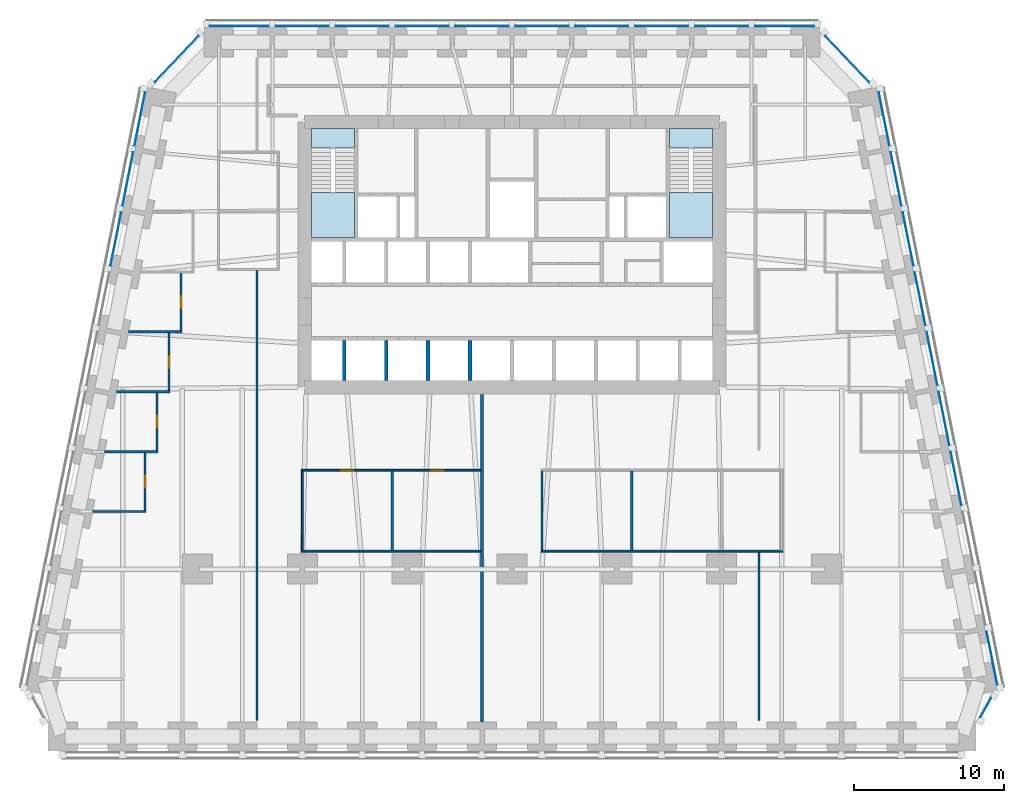
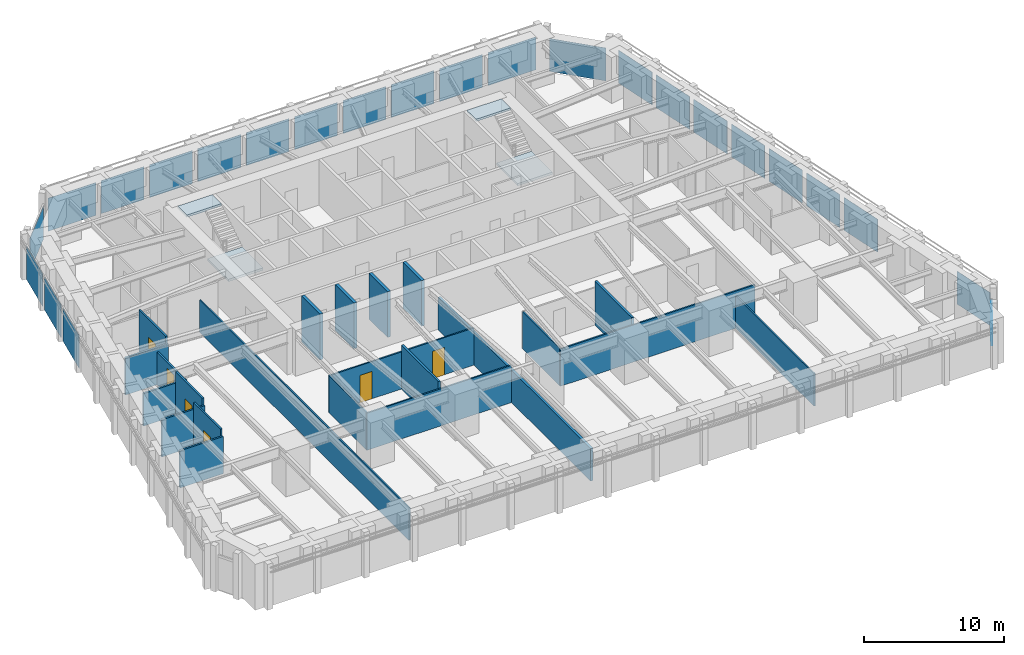
# One storey, part 5 of 10: 24 plates, 22 walls, 6 doors, 4 slabs, 6 openings, 8 elements without a shape of their own.
"""IFC4 building model written with IfcOpenShell, lengths in metres."""

import ifcopenshell
import ifcopenshell.guid

model = None  # the IFC model being written
_history = None  # IfcOwnerHistory: only IFC2X3 demands one
_inside = {}  # id of a spatial element -> (the spatial element, [elements in it])
_under = {}  # id of a project, library or spatial element -> (it, [spatial elements below it])
_declared = {}  # id of a project -> (the project, [libraries it declares])
_typed = {}  # id of a type object -> (the type object, [elements of that type])
_made_of = {}  # id of a material, layer set ... -> (it, [elements and type objects made of it])


def new_model(schema):
    """Start an empty IFC model of exactly this schema.

    Asked for "IFC4X3", IfcOpenShell would pick the latest addendum, in which some entities
    have other attributes; the version numbers below select the first issue.
    IFC2X3 requires an IfcOwnerHistory on every rooted entity: one is made here for all.
    """
    global model, _history
    if schema == "IFC4X3":
        model = ifcopenshell.file(schema_version=(4, 3, 0, 0))
    else:
        model = ifcopenshell.file(schema=schema)
    _inside.clear()
    _under.clear()
    _declared.clear()
    _typed.clear()
    _made_of.clear()
    _history = None
    if model.schema == "IFC2X3":
        org = make("IfcOrganization", Name="unknown")
        user = make(
            "IfcPersonAndOrganization",
            ThePerson=make("IfcPerson", FamilyName="unknown"),
            TheOrganization=org,
        )
        app = make(
            "IfcApplication",
            ApplicationDeveloper=org,
            Version="unknown",
            ApplicationFullName="unknown",
            ApplicationIdentifier="unknown",
        )
        _history = make(
            "IfcOwnerHistory",
            OwningUser=user,
            OwningApplication=app,
            ChangeAction="ADDED",
            CreationDate=0,
        )
    return model


def make(cls, **values):
    """One entity of the class cls with the attributes given. An attribute that is None is left unset."""
    return model.create_entity(
        cls, **{name: value for name, value in values.items() if value is not None}
    )


def rooted(cls, **values):
    """An entity with a GlobalId (a new one), such as an element, a storey or a relation."""
    return make(cls, GlobalId=ifcopenshell.guid.new(), OwnerHistory=_history, **values)


def si_unit(unit_type, name, prefix=None):
    """IfcSIUnit, for example si_unit("LENGTHUNIT", "METRE", prefix="MILLI")."""
    return make("IfcSIUnit", UnitType=unit_type, Prefix=prefix, Name=name)


def assignment(units):
    """IfcUnitAssignment: the units of a project."""
    return None if units is None else make("IfcUnitAssignment", Units=units)


def point(xyz):
    """IfcCartesianPoint."""
    return None if xyz is None else make("IfcCartesianPoint", Coordinates=xyz)


def direction(xyz):
    """IfcDirection."""
    return None if xyz is None else make("IfcDirection", DirectionRatios=xyz)


def frame(location, z_axis=None, x_axis=None):
    """IfcAxis2Placement3D, a coordinate frame: its origin and axes. An axis left out is left unset."""
    return make(
        "IfcAxis2Placement3D",
        Location=point(location),
        Axis=direction(z_axis),
        RefDirection=direction(x_axis),
    )


def frame_2d(location, x_axis=None):
    """IfcAxis2Placement2D, a coordinate frame in the plane: its origin and x axis."""
    return make(
        "IfcAxis2Placement2D", Location=point(location), RefDirection=direction(x_axis)
    )


def origin():
    """The frame at (0, 0, 0) with its axes left unset."""
    return frame((0.0, 0.0, 0.0))


def origin_2d():
    """The frame at (0, 0) in the plane with its x axis left unset."""
    return frame_2d((0.0, 0.0))


def place(relative_to, where):
    """IfcLocalPlacement: puts the frame where relative to a parent placement (None: the world)."""
    return make(
        "IfcLocalPlacement", PlacementRelTo=relative_to, RelativePlacement=where
    )


def context(
    kind, dimensions, precision=None, world=None, true_north=None, identifier=None
):
    """IfcGeometricRepresentationContext, for example the 3D "Model" context."""
    return make(
        "IfcGeometricRepresentationContext",
        ContextIdentifier=identifier,
        ContextType=kind,
        CoordinateSpaceDimension=dimensions,
        Precision=precision,
        WorldCoordinateSystem=world,
        TrueNorth=true_north,
    )


def subcontext(parent, identifier, kind, view, scale=None):
    """IfcGeometricRepresentationSubContext, for example "Body" below "Model"."""
    return make(
        "IfcGeometricRepresentationSubContext",
        ContextIdentifier=identifier,
        ContextType=kind,
        ParentContext=parent,
        TargetScale=scale,
        TargetView=view,
    )


def project(units=None, contexts=None):
    """IfcProject with its units and contexts."""
    return rooted(
        "IfcProject",
        Name="project",
        RepresentationContexts=contexts,
        UnitsInContext=assignment(units),
    )


def spatial(cls, under=None, at=None, **own):
    """A site, building, storey or space (cls), placed at a placement, below another one or the project."""
    s = rooted(cls, ObjectPlacement=at, **own)
    if under is not None:
        _under.setdefault(under.id(), (under, []))[1].append(s)
    return s


def polyline(points):
    """IfcPolyline through the points."""
    return make("IfcPolyline", Points=[point(p) for p in points])


def profile(cls, at=None, kind="AREA", **sizes):
    """A parametric profile (cls). Its sizes go by their IFC names, for example OverallWidth=200.0."""
    return make(cls, ProfileType=kind, Position=at, **sizes)


def rectangle(**sizes):
    """IfcRectangleProfileDef."""
    return profile("IfcRectangleProfileDef", **sizes)


def outline(outer, holes=None, kind="AREA"):
    """IfcArbitraryClosedProfileDef: a profile drawn as a closed curve; with holes, ...WithVoids."""
    if holes is None:
        return make("IfcArbitraryClosedProfileDef", ProfileType=kind, OuterCurve=outer)
    return make(
        "IfcArbitraryProfileDefWithVoids",
        ProfileType=kind,
        OuterCurve=outer,
        InnerCurves=holes,
    )


def extrude(swept, where, along, depth):
    """IfcExtrudedAreaSolid: the profile swept, set in the frame where, extruded along a direction by depth."""
    return make(
        "IfcExtrudedAreaSolid",
        SweptArea=swept,
        Position=where,
        ExtrudedDirection=direction(along),
        Depth=depth,
    )


def shape(context_of_items, identifier, shape_type, items):
    """IfcShapeRepresentation: the items that make up one representation, for example the "Body"."""
    return make(
        "IfcShapeRepresentation",
        ContextOfItems=context_of_items,
        RepresentationIdentifier=identifier,
        RepresentationType=shape_type,
        Items=items,
    )


def material(Name=None, Category=None):
    """IfcMaterial."""
    return make("IfcMaterial", Name=Name, Category=Category)


def layer(
    of_material, thickness, ventilated=None, Name=None, Category=None, Priority=None
):
    """IfcMaterialLayer: one layer of a wall or slab, of a material (None: an air gap)."""
    return make(
        "IfcMaterialLayer",
        Material=of_material,
        LayerThickness=thickness,
        IsVentilated=ventilated,
        Name=Name,
        Category=Category,
        Priority=Priority,
    )


def layer_set(layers, Name=None):
    """IfcMaterialLayerSet."""
    return make("IfcMaterialLayerSet", MaterialLayers=layers, LayerSetName=Name)


def made_of(thing, what):
    """Note that an element or type object is made of a material, layer set ...; save() writes the relation."""
    if what is not None:
        _made_of.setdefault(what.id(), (what, []))[1].append(thing)
    return thing


def type_object(cls, material=None, **own):
    """A type object (cls), such as IfcWallType, which elements share."""
    return made_of(rooted(cls, **own), material)


def element(
    cls,
    number,
    at=None,
    inside=None,
    cuts=None,
    type_object=None,
    material=None,
    context=None,
    identifier="Body",
    shape_type=None,
    held_by="IfcProductDefinitionShape",
    body=None,
    shapes=None,
    **own,
):
    """One element of the class cls, such as IfcWall. Its Tag is "e" and its number.

    at: its placement. inside: the storey or other place that contains it. cuts: it is an
    opening in that element (IfcRelVoidsElement). A single representation is given by context,
    identifier, shape_type and body (its items); several are given by shapes. held_by: the class
    of the entity that holds the representations. save() writes the other relations.
    """
    e = rooted(cls, Tag="e%d" % number, ObjectPlacement=at, **own)
    if body is not None:
        shapes = [shape(context, identifier, shape_type, body)]
    if shapes is not None:
        e.Representation = make(held_by, Representations=shapes)
    if inside is not None:
        _inside.setdefault(inside.id(), (inside, []))[1].append(e)
    if cuts is not None:
        rooted(
            "IfcRelVoidsElement", RelatingBuildingElement=cuts, RelatedOpeningElement=e
        )
    if type_object is not None:
        _typed.setdefault(type_object.id(), (type_object, []))[1].append(e)
    return made_of(e, material)


def fill(opening, filler):
    """IfcRelFillsElement: the door or window that sits in an opening."""
    return rooted(
        "IfcRelFillsElement",
        RelatingOpeningElement=opening,
        RelatedBuildingElement=filler,
    )


def aggregate(whole, parts):
    """IfcRelAggregates: a whole, such as a stair, and the parts it consists of."""
    return rooted("IfcRelAggregates", RelatingObject=whole, RelatedObjects=parts)


def save(model, path):
    """Write the relations noted so far, then the file.

    IfcRelAggregates (storeys below a building ...), IfcRelContainedInSpatialStructure (elements
    in a storey), IfcRelDefinesByType, IfcRelAssociatesMaterial and IfcRelDeclares: one each for
    every whole, place, type object, material and project.
    """
    for whole, parts in _under.values():
        aggregate(whole, parts)
    for where, things in _inside.values():
        rooted(
            "IfcRelContainedInSpatialStructure",
            RelatedElements=things,
            RelatingStructure=where,
        )
    for kind, things in _typed.values():
        rooted("IfcRelDefinesByType", RelatedObjects=things, RelatingType=kind)
    for what, things in _made_of.values():
        rooted("IfcRelAssociatesMaterial", RelatedObjects=things, RelatingMaterial=what)
    for by, libraries in _declared.values():
        rooted("IfcRelDeclares", RelatingContext=by, RelatedDefinitions=libraries)
    model.write(path)


model = new_model("IFC4")

# Units and contexts
model_context = context("Model", 3, precision=1e-05, world=origin(), true_north=direction((0.0, 1.0)))
body_context = subcontext(model_context, "Body", "Model", "MODEL_VIEW")
ifc_project = project(units=[si_unit("LENGTHUNIT", "METRE"), si_unit("AREAUNIT", "SQUARE_METRE"), si_unit("VOLUMEUNIT", "CUBIC_METRE"), si_unit("PLANEANGLEUNIT", "RADIAN"), si_unit("MASSUNIT", "GRAM", prefix="KILO")], contexts=[model_context])

# Site, building, storey
site_placement = place(None, origin())
site = spatial("IfcSite", under=ifc_project, at=site_placement, CompositionType="ELEMENT")
building_placement = place(site_placement, origin())
building = spatial("IfcBuilding", under=site, at=building_placement, Name="Isbrekke Arena Tower", CompositionType="ELEMENT")
storey_placement = place(building_placement, frame((0.0, 0.0, 68.0)))
storey = spatial("IfcBuildingStorey", under=building, at=storey_placement, Name="L14", CompositionType="ELEMENT", Elevation=68.0)

# Curtain wall, plate
ifc_material_1 = material(Name="Glazed aluminium curtain wall", Category="aluminium")
curtain_wall_type = type_object("IfcCurtainWallType", Name="CWL TOWER CURTAIN WALL LOW ZONE", PredefinedType="USERDEFINED", material=ifc_material_1)
curtain_wall_1_placement = place(storey_placement, origin())
curtain_wall_1 = element("IfcCurtainWall", 1, at=curtain_wall_1_placement, inside=storey, type_object=curtain_wall_type, Name="CWL curtain wall L14-SE", ObjectType="TOWER CURTAIN WALL LOW ZONE", PredefinedType="USERDEFINED")
ifc_material_2 = material(Name="Triple-glazed clear glass unit", Category="glass")
ifc_layer_1 = layer(ifc_material_2, 0.031982421875)
ifc_layer_set_1 = layer_set([ifc_layer_1], Name="CWL-P VISION PANEL")
plate_type = type_object("IfcPlateType", Name="CWL-P VISION PANEL", PredefinedType="CURTAIN_PANEL", material=ifc_layer_set_1)
plate_1_placement = place(storey_placement, frame((31.62744140625, -15.24853515625, 0.02001953125), z_axis=(0.0, 0.0, 1.0), x_axis=(0.481918749773, 0.876215908676, 0.0)))
plate_1 = element("IfcPlate", 2, at=plate_1_placement, type_object=plate_type, Name="CWL-P panel 1", PredefinedType="CURTAIN_PANEL", context=body_context, shape_type="SweptSolid", body=[
    extrude(rectangle(XDim=1.453369140625, YDim=0.031982421875, at=origin_2d()), origin(), (0.0, 0.0, 1.0), 2.8798828125),
])
aggregate(curtain_wall_1, [plate_1])

# Curtain wall, plates
curtain_wall_2_placement = place(storey_placement, origin())
curtain_wall_2 = element("IfcCurtainWall", 3, at=curtain_wall_2_placement, inside=storey, type_object=curtain_wall_type, Name="CWL curtain wall L14-E", ObjectType="TOWER CURTAIN WALL LOW ZONE", PredefinedType="USERDEFINED")
plate_2_placement = place(storey_placement, frame((32.045166015625, -11.950927734375, 0.02001953125), z_axis=(0.0, 0.0, 1.0), x_axis=(-0.196116135138, 0.980580675691, 0.0)))
plate_2 = element("IfcPlate", 4, at=plate_2_placement, type_object=plate_type, Name="CWL-P panel 1", PredefinedType="CURTAIN_PANEL", context=body_context, shape_type="SweptSolid", body=[
    extrude(rectangle(XDim=3.629150390625, YDim=0.031982421875, at=origin_2d()), origin(), (0.0, 0.0, 1.0), 2.8798828125),
])
plate_3_placement = place(storey_placement, frame((29.645263671875, 0.049072265625, 0.02001953125), z_axis=(0.0, 0.0, 1.0), x_axis=(-0.196116135138, 0.980580675691, 0.0)))
plate_3 = element("IfcPlate", 5, at=plate_3_placement, type_object=plate_type, Name="CWL-P panel 4", PredefinedType="CURTAIN_PANEL", context=body_context, shape_type="SweptSolid", body=[
    extrude(rectangle(XDim=3.629150390625, YDim=0.031982421875, at=origin_2d()), origin(), (0.0, 0.0, 1.0), 2.8798828125),
])
plate_4_placement = place(storey_placement, frame((28.84521484375, 4.049072265625, 0.02001953125), z_axis=(0.0, 0.0, 1.0), x_axis=(-0.196116135138, 0.980580675691, 0.0)))
plate_4 = element("IfcPlate", 6, at=plate_4_placement, type_object=plate_type, Name="CWL-P panel 5", PredefinedType="CURTAIN_PANEL", context=body_context, shape_type="SweptSolid", body=[
    extrude(rectangle(XDim=3.629150390625, YDim=0.031982421875, at=origin_2d()), origin(), (0.0, 0.0, 1.0), 2.8798828125),
])
plate_5_placement = place(storey_placement, frame((28.045166015625, 8.049072265625, 0.02001953125), z_axis=(0.0, 0.0, 1.0), x_axis=(-0.196116135138, 0.980580675691, 0.0)))
plate_5 = element("IfcPlate", 7, at=plate_5_placement, type_object=plate_type, Name="CWL-P panel 6", PredefinedType="CURTAIN_PANEL", context=body_context, shape_type="SweptSolid", body=[
    extrude(rectangle(XDim=3.629150390625, YDim=0.031982421875, at=origin_2d()), origin(), (0.0, 0.0, 1.0), 2.8798828125),
])
plate_6_placement = place(storey_placement, frame((27.2451171875, 12.049072265625, 0.02001953125), z_axis=(0.0, 0.0, 1.0), x_axis=(-0.196116135138, 0.980580675691, 0.0)))
plate_6 = element("IfcPlate", 8, at=plate_6_placement, type_object=plate_type, Name="CWL-P panel 7", PredefinedType="CURTAIN_PANEL", context=body_context, shape_type="SweptSolid", body=[
    extrude(rectangle(XDim=3.629150390625, YDim=0.031982421875, at=origin_2d()), origin(), (0.0, 0.0, 1.0), 2.8798828125),
])
plate_7_placement = place(storey_placement, frame((26.445068359375, 16.049072265625, 0.02001953125), z_axis=(0.0, 0.0, 1.0), x_axis=(-0.196116135138, 0.980580675691, 0.0)))
plate_7 = element("IfcPlate", 9, at=plate_7_placement, type_object=plate_type, Name="CWL-P panel 8", PredefinedType="CURTAIN_PANEL", context=body_context, shape_type="SweptSolid", body=[
    extrude(rectangle(XDim=3.629150390625, YDim=0.031982421875, at=origin_2d()), origin(), (0.0, 0.0, 1.0), 2.8798828125),
])
plate_8_placement = place(storey_placement, frame((25.645263671875, 20.049072265625, 0.02001953125), z_axis=(0.0, 0.0, 1.0), x_axis=(-0.196116135138, 0.980580675691, 0.0)))
plate_8 = element("IfcPlate", 10, at=plate_8_placement, type_object=plate_type, Name="CWL-P panel 9", PredefinedType="CURTAIN_PANEL", context=body_context, shape_type="SweptSolid", body=[
    extrude(rectangle(XDim=3.629150390625, YDim=0.031982421875, at=origin_2d()), origin(), (0.0, 0.0, 1.0), 2.8798828125),
])
plate_9_placement = place(storey_placement, frame((24.84521484375, 24.049072265625, 0.02001953125), z_axis=(0.0, 0.0, 1.0), x_axis=(-0.196116135138, 0.980580675691, 0.0)))
plate_9 = element("IfcPlate", 11, at=plate_9_placement, type_object=plate_type, Name="CWL-P panel 10", PredefinedType="CURTAIN_PANEL", context=body_context, shape_type="SweptSolid", body=[
    extrude(rectangle(XDim=3.629150390625, YDim=0.031982421875, at=origin_2d()), origin(), (0.0, 0.0, 1.0), 2.8798828125),
])
aggregate(curtain_wall_2, [plate_2, plate_3, plate_4, plate_5, plate_6, plate_7, plate_8, plate_9])

# Curtain wall, plate
curtain_wall_3_placement = place(storey_placement, origin())
curtain_wall_3 = element("IfcCurtainWall", 12, at=curtain_wall_3_placement, inside=storey, type_object=curtain_wall_type, Name="CWL curtain wall L14-EN", ObjectType="TOWER CURTAIN WALL LOW ZONE", PredefinedType="USERDEFINED")
plate_10_placement = place(storey_placement, frame((22.386474609375, 28.05419921875, 0.02001953125), z_axis=(0.0, 0.0, 1.0), x_axis=(-0.68874946192, 0.72499943359, 0.0)))
plate_10 = element("IfcPlate", 13, at=plate_10_placement, type_object=plate_type, Name="CWL-P panel 1", PredefinedType="CURTAIN_PANEL", context=body_context, shape_type="SweptSolid", body=[
    extrude(rectangle(XDim=4.22900390625, YDim=0.031982421875, at=origin_2d()), origin(), (0.0, 0.0, 1.0), 2.8798828125),
])
aggregate(curtain_wall_3, [plate_10])

# Curtain wall, plates
curtain_wall_4_placement = place(storey_placement, origin())
curtain_wall_4 = element("IfcCurtainWall", 14, at=curtain_wall_4_placement, inside=storey, type_object=curtain_wall_type, Name="CWL curtain wall L14-N", ObjectType="TOWER CURTAIN WALL LOW ZONE", PredefinedType="USERDEFINED")
plate_11_placement = place(storey_placement, frame((18.199951171875, 30.25, 0.02001953125), z_axis=(0.0, 0.0, 1.0), x_axis=(-1.0, 0.0, 0.0)))
plate_11 = element("IfcPlate", 15, at=plate_11_placement, type_object=plate_type, Name="CWL-P panel 1", PredefinedType="CURTAIN_PANEL", context=body_context, shape_type="SweptSolid", body=[
    extrude(rectangle(XDim=3.949951171875, YDim=0.031982421875, at=origin_2d()), origin(), (0.0, 0.0, 1.0), 2.8798828125),
])
plate_12_placement = place(storey_placement, frame((14.0, 30.25, 0.02001953125), z_axis=(0.0, 0.0, 1.0), x_axis=(-1.0, 0.0, 0.0)))
plate_12 = element("IfcPlate", 16, at=plate_12_placement, type_object=plate_type, Name="CWL-P panel 2", PredefinedType="CURTAIN_PANEL", context=body_context, shape_type="SweptSolid", body=[
    extrude(rectangle(XDim=3.550048828125, YDim=0.031982421875, at=origin_2d()), origin(), (0.0, 0.0, 1.0), 2.8798828125),
])
plate_13_placement = place(storey_placement, frame((10.0, 30.25, 0.02001953125), z_axis=(0.0, 0.0, 1.0), x_axis=(-1.0, 0.0, 0.0)))
plate_13 = element("IfcPlate", 17, at=plate_13_placement, type_object=plate_type, Name="CWL-P panel 3", PredefinedType="CURTAIN_PANEL", context=body_context, shape_type="SweptSolid", body=[
    extrude(rectangle(XDim=3.550048828125, YDim=0.031982421875, at=origin_2d()), origin(), (0.0, 0.0, 1.0), 2.8798828125),
])
plate_14_placement = place(storey_placement, frame((6.0, 30.25, 0.02001953125), z_axis=(0.0, 0.0, 1.0), x_axis=(-1.0, 0.0, 0.0)))
plate_14 = element("IfcPlate", 18, at=plate_14_placement, type_object=plate_type, Name="CWL-P panel 4", PredefinedType="CURTAIN_PANEL", context=body_context, shape_type="SweptSolid", body=[
    extrude(rectangle(XDim=3.550048828125, YDim=0.031982421875, at=origin_2d()), origin(), (0.0, 0.0, 1.0), 2.8798828125),
])
plate_15_placement = place(storey_placement, frame((2.0, 30.25, 0.02001953125), z_axis=(0.0, 0.0, 1.0), x_axis=(-1.0, 0.0, 0.0)))
plate_15 = element("IfcPlate", 19, at=plate_15_placement, type_object=plate_type, Name="CWL-P panel 5", PredefinedType="CURTAIN_PANEL", context=body_context, shape_type="SweptSolid", body=[
    extrude(rectangle(XDim=3.550048828125, YDim=0.031982421875, at=origin_2d()), origin(), (0.0, 0.0, 1.0), 2.8798828125),
])
plate_16_placement = place(storey_placement, frame((-2.0, 30.25, 0.02001953125), z_axis=(0.0, 0.0, 1.0), x_axis=(-1.0, 0.0, 0.0)))
plate_16 = element("IfcPlate", 20, at=plate_16_placement, type_object=plate_type, Name="CWL-P panel 6", PredefinedType="CURTAIN_PANEL", context=body_context, shape_type="SweptSolid", body=[
    extrude(rectangle(XDim=3.550048828125, YDim=0.031982421875, at=origin_2d()), origin(), (0.0, 0.0, 1.0), 2.8798828125),
])
plate_17_placement = place(storey_placement, frame((-6.0, 30.25, 0.02001953125), z_axis=(0.0, 0.0, 1.0), x_axis=(-1.0, 0.0, 0.0)))
plate_17 = element("IfcPlate", 21, at=plate_17_placement, type_object=plate_type, Name="CWL-P panel 7", PredefinedType="CURTAIN_PANEL", context=body_context, shape_type="SweptSolid", body=[
    extrude(rectangle(XDim=3.550048828125, YDim=0.031982421875, at=origin_2d()), origin(), (0.0, 0.0, 1.0), 2.8798828125),
])
plate_18_placement = place(storey_placement, frame((-10.0, 30.25, 0.02001953125), z_axis=(0.0, 0.0, 1.0), x_axis=(-1.0, 0.0, 0.0)))
plate_18 = element("IfcPlate", 22, at=plate_18_placement, type_object=plate_type, Name="CWL-P panel 8", PredefinedType="CURTAIN_PANEL", context=body_context, shape_type="SweptSolid", body=[
    extrude(rectangle(XDim=3.550048828125, YDim=0.031982421875, at=origin_2d()), origin(), (0.0, 0.0, 1.0), 2.8798828125),
])
plate_19_placement = place(storey_placement, frame((-14.0, 30.25, 0.02001953125), z_axis=(0.0, 0.0, 1.0), x_axis=(-1.0, 0.0, 0.0)))
plate_19 = element("IfcPlate", 23, at=plate_19_placement, type_object=plate_type, Name="CWL-P panel 9", PredefinedType="CURTAIN_PANEL", context=body_context, shape_type="SweptSolid", body=[
    extrude(rectangle(XDim=3.550048828125, YDim=0.031982421875, at=origin_2d()), origin(), (0.0, 0.0, 1.0), 2.8798828125),
])
plate_20_placement = place(storey_placement, frame((-18.199951171875, 30.25, 0.02001953125), z_axis=(0.0, 0.0, 1.0), x_axis=(-1.0, 0.0, 0.0)))
plate_20 = element("IfcPlate", 24, at=plate_20_placement, type_object=plate_type, Name="CWL-P panel 10", PredefinedType="CURTAIN_PANEL", context=body_context, shape_type="SweptSolid", body=[
    extrude(rectangle(XDim=3.949951171875, YDim=0.031982421875, at=origin_2d()), origin(), (0.0, 0.0, 1.0), 2.8798828125),
])
aggregate(curtain_wall_4, [plate_11, plate_12, plate_13, plate_14, plate_15, plate_16, plate_17, plate_18, plate_19, plate_20])

# Curtain wall, plate
curtain_wall_5_placement = place(storey_placement, origin())
curtain_wall_5 = element("IfcCurtainWall", 25, at=curtain_wall_5_placement, inside=storey, type_object=curtain_wall_type, Name="CWL curtain wall L14-NW", ObjectType="TOWER CURTAIN WALL LOW ZONE", PredefinedType="USERDEFINED")
plate_21_placement = place(storey_placement, frame((-22.38623046875, 28.054443359375, 0.02001953125), z_axis=(0.0, 0.0, 1.0), x_axis=(-0.68874946192, -0.72499943359, 0.0)))
plate_21 = element("IfcPlate", 26, at=plate_21_placement, type_object=plate_type, Name="CWL-P panel 1", PredefinedType="CURTAIN_PANEL", context=body_context, shape_type="SweptSolid", body=[
    extrude(rectangle(XDim=4.22802734375, YDim=0.031982421875, at=origin_2d()), origin(), (0.0, 0.0, 1.0), 2.8798828125),
])
aggregate(curtain_wall_5, [plate_21])

# Curtain wall, plates
curtain_wall_6_placement = place(storey_placement, origin())
curtain_wall_6 = element("IfcCurtainWall", 27, at=curtain_wall_6_placement, inside=storey, type_object=curtain_wall_type, Name="CWL curtain wall L14-W", ObjectType="TOWER CURTAIN WALL LOW ZONE", PredefinedType="USERDEFINED")
plate_22_placement = place(storey_placement, frame((-24.84521484375, 24.049072265625, 0.02001953125), z_axis=(0.0, 0.0, 1.0), x_axis=(-0.196116135138, -0.980580675691, 0.0)))
plate_22 = element("IfcPlate", 28, at=plate_22_placement, type_object=plate_type, Name="CWL-P panel 1", PredefinedType="CURTAIN_PANEL", context=body_context, shape_type="SweptSolid", body=[
    extrude(rectangle(XDim=3.629150390625, YDim=0.031982421875, at=origin_2d()), origin(), (0.0, 0.0, 1.0), 2.8798828125),
])
plate_23_placement = place(storey_placement, frame((-25.645263671875, 20.049072265625, 0.02001953125), z_axis=(0.0, 0.0, 1.0), x_axis=(-0.196116135138, -0.980580675691, 0.0)))
plate_23 = element("IfcPlate", 29, at=plate_23_placement, type_object=plate_type, Name="CWL-P panel 2", PredefinedType="CURTAIN_PANEL", context=body_context, shape_type="SweptSolid", body=[
    extrude(rectangle(XDim=3.629150390625, YDim=0.031982421875, at=origin_2d()), origin(), (0.0, 0.0, 1.0), 2.8798828125),
])
plate_24_placement = place(storey_placement, frame((-26.445068359375, 16.049072265625, 0.02001953125), z_axis=(0.0, 0.0, 1.0), x_axis=(-0.196116135138, -0.980580675691, 0.0)))
plate_24 = element("IfcPlate", 30, at=plate_24_placement, type_object=plate_type, Name="CWL-P panel 3", PredefinedType="CURTAIN_PANEL", context=body_context, shape_type="SweptSolid", body=[
    extrude(rectangle(XDim=3.629150390625, YDim=0.031982421875, at=origin_2d()), origin(), (0.0, 0.0, 1.0), 2.8798828125),
])
aggregate(curtain_wall_6, [plate_22, plate_23, plate_24])

# Stair, slabs
ifc_material_3 = material(Name="Concrete B45 (C45/55) precast", Category="concrete")
stair_type = type_object("IfcStairType", Name="ST40 STAIR 1300 WIDE, 24 RISERS 167", PredefinedType="HALF_TURN_STAIR", material=ifc_material_3)
stair_1_placement = place(storey_placement, origin())
stair_1 = element("IfcStair", 31, at=stair_1_placement, inside=storey, type_object=stair_type, Name="ST1 stair L14", PredefinedType="HALF_TURN_STAIR")
ifc_material_4 = material(Name="Concrete B35 (C35/45)", Category="concrete")
ifc_layer_2 = layer(ifc_material_4, 0.199951171875)
ifc_layer_set_2 = layer_set([ifc_layer_2], Name="SL1 STAIR LANDING 200")
slab_type = type_object("IfcSlabType", Name="SL1 STAIR LANDING 200", PredefinedType="LANDING", material=ifc_layer_set_2)
slab_1_placement = place(storey_placement, frame((0.0, 0.0, 1.800048828125)))
slab_1 = element("IfcSlab", 32, at=slab_1_placement, type_object=slab_type, Name="ST1 landing 1", PredefinedType="LANDING", context=body_context, shape_type="SweptSolid", body=[
    extrude(outline(polyline([(-13.39990234375, 16.125), (-10.52490234375, 16.125), (-10.52490234375, 19.1298828125), (-13.39990234375, 19.1298828125), (-13.39990234375, 16.125)])), origin(), (0.0, 0.0, 1.0), 0.199951171875),
])
slab_2_placement = place(storey_placement, frame((0.0, 0.0, 3.800048828125)))
slab_2 = element("IfcSlab", 33, at=slab_2_placement, type_object=slab_type, Name="ST1 landing 2", PredefinedType="LANDING", context=body_context, shape_type="SweptSolid", body=[
    extrude(outline(polyline([(-13.39990234375, 22.10009765625), (-10.52490234375, 22.10009765625), (-10.52490234375, 23.39990234375), (-13.39990234375, 23.39990234375), (-13.39990234375, 22.10009765625)])), origin(), (0.0, 0.0, 1.0), 0.199951171875),
])
aggregate(stair_1, [slab_1, slab_2])

stair_2_placement = place(storey_placement, origin())
stair_2 = element("IfcStair", 34, at=stair_2_placement, inside=storey, type_object=stair_type, Name="ST2 stair L14", PredefinedType="HALF_TURN_STAIR")
slab_3_placement = place(storey_placement, frame((0.0, 0.0, 1.800048828125)))
slab_3 = element("IfcSlab", 35, at=slab_3_placement, type_object=slab_type, Name="ST2 landing 1", PredefinedType="LANDING", context=body_context, shape_type="SweptSolid", body=[
    extrude(outline(polyline([(10.52490234375, 16.125), (13.39990234375, 16.125), (13.39990234375, 19.1298828125), (10.52490234375, 19.1298828125), (10.52490234375, 16.125)])), origin(), (0.0, 0.0, 1.0), 0.199951171875),
])
slab_4_placement = place(storey_placement, frame((0.0, 0.0, 3.800048828125)))
slab_4 = element("IfcSlab", 36, at=slab_4_placement, type_object=slab_type, Name="ST2 landing 2", PredefinedType="LANDING", context=body_context, shape_type="SweptSolid", body=[
    extrude(outline(polyline([(10.52490234375, 22.10009765625), (13.39990234375, 22.10009765625), (13.39990234375, 23.39990234375), (10.52490234375, 23.39990234375), (10.52490234375, 22.10009765625)])), origin(), (0.0, 0.0, 1.0), 0.199951171875),
])
aggregate(stair_2, [slab_3, slab_4])

# Walls
ifc_material_5 = material(Name="Concrete B45 (C45/55)", Category="concrete")
ifc_layer_3 = layer(ifc_material_5, 0.25)
ifc_layer_set_3 = layer_set([ifc_layer_3], Name="CW6 SHAFT WALL 250")
wall_type_1 = type_object("IfcWallType", Name="CW6 SHAFT WALL 250", PredefinedType="SHEAR", material=ifc_layer_set_3)
for number, where, z_axis, x_axis, name in (
    (37, (-11.199951171875, 6.60009765625, 0.0), (0.0, 0.0, 1.0), (0.0, 1.0, 0.0), "Core wall SS01 L14"),
    (38, (-8.39990234375, 6.60009765625, 0.0), (0.0, 0.0, 1.0), (0.0, 1.0, 0.0), "Core wall SS02 L14"),
    (39, (-5.60009765625, 6.60009765625, 0.0), (0.0, 0.0, 1.0), (0.0, 1.0, 0.0), "Core wall SS03 L14"),
    (40, (-2.800048828125, 6.60009765625, 0.0), (0.0, 0.0, 1.0), (0.0, 1.0, 0.0), "Core wall SS04 L14"),
):
    element("IfcWall", number, at=place(storey_placement, frame(where, z_axis=z_axis, x_axis=x_axis)), inside=storey, type_object=wall_type_1, Name=name, PredefinedType="SHEAR", context=body_context, shape_type="SweptSolid", body=[
        extrude(rectangle(XDim=2.6748046875, YDim=0.25, at=frame_2d((1.33740234375, 0.0))), origin(), (0.0, 0.0, 1.0), 4.0),
    ])
ifc_material_6 = material(Name="Gypsum board partition on steel studs", Category="steel")
ifc_layer_4 = layer(ifc_material_6, 0.14990234375)
ifc_layer_set_4 = layer_set([ifc_layer_4], Name="IW1 PARTITION 150")
wall_type_2 = type_object("IfcWallType", Name="IW1 PARTITION 150", PredefinedType="PARTITIONING", material=ifc_layer_set_4)
for number, where, z_axis, x_axis, name in (
    (41, (-27.996337890625, -2.159912109375, 0.0), (0.0, 0.0, 1.0), (1.0, 0.0, 0.0), "IW1 partition 150 L14"),
    (42, (-27.1962890625, 1.840087890625, 0.0), (0.0, 0.0, 1.0), (1.0, 0.0, 0.0), "IW1 partition 150 L14"),
):
    element("IfcWall", number, at=place(storey_placement, frame(where, z_axis=z_axis, x_axis=x_axis)), inside=storey, type_object=wall_type_2, Name=name, PredefinedType="PARTITIONING", context=body_context, shape_type="SweptSolid", body=[
        extrude(rectangle(XDim=3.5712890625, YDim=0.14990234375, at=frame_2d((1.78564453125, 0.0))), origin(), (0.0, 0.0, 1.0), 3.25),
    ])
wall_1_placement = place(storey_placement, frame((-26.396484375, 5.840087890625, 0.0), z_axis=(0.0, 0.0, 1.0), x_axis=(1.0, 0.0, 0.0)))
element("IfcWall", 43, at=wall_1_placement, inside=storey, type_object=wall_type_2, Name="IW1 partition 150 L14", PredefinedType="PARTITIONING", context=body_context, shape_type="SweptSolid", body=[
    extrude(rectangle(XDim=3.571533203125, YDim=0.14990234375, at=frame_2d((1.78564453125, 0.0))), origin(), (0.0, 0.0, 1.0), 2.842041015625),
])
wall_2_placement = place(storey_placement, frame((-25.596435546875, 9.840087890625, 0.0), z_axis=(0.0, 0.0, 1.0), x_axis=(1.0, 0.0, 0.0)))
element("IfcWall", 44, at=wall_2_placement, inside=storey, type_object=wall_type_2, Name="IW1 partition 150 L14", PredefinedType="PARTITIONING", context=body_context, shape_type="SweptSolid", body=[
    extrude(rectangle(XDim=3.571533203125, YDim=0.14990234375, at=frame_2d((1.78564453125, 0.0))), origin(), (0.0, 0.0, 1.0), 3.25),
])

# Wall, opening, door
wall_3_placement = place(storey_placement, frame((-24.5, -2.0849609375, 0.0), z_axis=(0.0, 0.0, 1.0), x_axis=(0.0, 1.0, 0.0)))
wall_3 = element("IfcWall", 45, at=wall_3_placement, inside=storey, type_object=wall_type_2, Name="IW1 partition 150 L14", PredefinedType="PARTITIONING", context=body_context, shape_type="SweptSolid", body=[
    extrude(rectangle(XDim=3.849853515625, YDim=0.14990234375, at=frame_2d((1.9248046875, 0.0))), origin(), (0.0, 0.0, 1.0), 3.85009765625),
])
opening_1_placement = place(wall_3_placement, frame((1.425048828125, 0.0, 0.0)))
opening_1 = element("IfcOpeningElement", 46, at=opening_1_placement, cuts=wall_3, Name="Opening D10", PredefinedType="OPENING", context=body_context, shape_type="SweptSolid", body=[
    extrude(rectangle(XDim=1.0, YDim=2.300048828125, at=frame_2d((0.5, 1.14990234375))), frame((0.0, 0.08984375, 0.0), z_axis=(0.0, -1.0, 0.0), x_axis=(1.0, 0.0, 0.0)), (0.0, 0.0, 1.0), 0.1796875),
])
ifc_material_7 = material(Name="Timber door", Category="wood")
door_type_1 = type_object("IfcDoorType", Name="D10 OFFICE DOOR 1000 x 2300", OperationType="SINGLE_SWING_LEFT", PredefinedType="DOOR", material=ifc_material_7)
door_1_placement = place(opening_1_placement, origin())
door_1 = element("IfcDoor", 47, at=door_1_placement, inside=storey, type_object=door_type_1, Name="D10 office door L14", OperationType="SINGLE_SWING_LEFT", OverallHeight=2.300048828125, OverallWidth=1.0, PredefinedType="DOOR", context=body_context, shape_type="SweptSolid", body=[
    extrude(rectangle(XDim=1.0, YDim=2.300048828125, at=frame_2d((0.5, 1.14990234375))), frame((0.0, 0.07470703125, 0.0), z_axis=(0.0, -1.0, 0.0), x_axis=(1.0, 0.0, 0.0)), (0.0, 0.0, 1.0), 0.1494140625),
])
fill(opening_1, door_1)

wall_4_placement = place(storey_placement, frame((-23.699951171875, 1.9150390625, 0.0), z_axis=(0.0, 0.0, 1.0), x_axis=(0.0, 1.0, 0.0)))
wall_4 = element("IfcWall", 48, at=wall_4_placement, inside=storey, type_object=wall_type_2, Name="IW1 partition 150 L14", PredefinedType="PARTITIONING", context=body_context, shape_type="SweptSolid", body=[
    extrude(rectangle(XDim=3.849853515625, YDim=0.14990234375, at=frame_2d((1.9248046875, 0.0))), origin(), (0.0, 0.0, 1.0), 3.85009765625),
])
opening_2_placement = place(wall_4_placement, frame((1.425048828125, 0.0, 0.0)))
opening_2 = element("IfcOpeningElement", 49, at=opening_2_placement, cuts=wall_4, Name="Opening D10", PredefinedType="OPENING", context=body_context, shape_type="SweptSolid", body=[
    extrude(rectangle(XDim=1.0, YDim=2.300048828125, at=frame_2d((0.5, 1.14990234375))), frame((0.0, 0.08984375, 0.0), z_axis=(0.0, -1.0, 0.0), x_axis=(1.0, 0.0, 0.0)), (0.0, 0.0, 1.0), 0.1796875),
])
door_2_placement = place(opening_2_placement, origin())
door_2 = element("IfcDoor", 50, at=door_2_placement, inside=storey, type_object=door_type_1, Name="D10 office door L14", OperationType="SINGLE_SWING_LEFT", OverallHeight=2.300048828125, OverallWidth=1.0, PredefinedType="DOOR", context=body_context, shape_type="SweptSolid", body=[
    extrude(rectangle(XDim=1.0, YDim=2.300048828125, at=frame_2d((0.5, 1.14990234375))), frame((0.0, 0.07470703125, 0.0), z_axis=(0.0, -1.0, 0.0), x_axis=(1.0, 0.0, 0.0)), (0.0, 0.0, 1.0), 0.1494140625),
])
fill(opening_2, door_2)

wall_5_placement = place(storey_placement, frame((-22.89990234375, 5.9150390625, 0.0), z_axis=(0.0, 0.0, 1.0), x_axis=(0.0, 1.0, 0.0)))
wall_5 = element("IfcWall", 51, at=wall_5_placement, inside=storey, type_object=wall_type_2, Name="IW1 partition 150 L14", PredefinedType="PARTITIONING", context=body_context, shape_type="SweptSolid", body=[
    extrude(rectangle(XDim=3.849853515625, YDim=0.14990234375, at=frame_2d((1.9248046875, 0.0))), origin(), (0.0, 0.0, 1.0), 2.842041015625),
])
opening_3_placement = place(wall_5_placement, frame((1.425048828125, 0.0, 0.0)))
opening_3 = element("IfcOpeningElement", 52, at=opening_3_placement, cuts=wall_5, Name="Opening D10", PredefinedType="OPENING", context=body_context, shape_type="SweptSolid", body=[
    extrude(rectangle(XDim=1.0, YDim=2.300048828125, at=frame_2d((0.5, 1.14990234375))), frame((0.0, 0.08984375, 0.0), z_axis=(0.0, -1.0, 0.0), x_axis=(1.0, 0.0, 0.0)), (0.0, 0.0, 1.0), 0.1796875),
])
door_3_placement = place(opening_3_placement, origin())
door_3 = element("IfcDoor", 53, at=door_3_placement, inside=storey, type_object=door_type_1, Name="D10 office door L14", OperationType="SINGLE_SWING_LEFT", OverallHeight=2.300048828125, OverallWidth=1.0, PredefinedType="DOOR", context=body_context, shape_type="SweptSolid", body=[
    extrude(rectangle(XDim=1.0, YDim=2.300048828125, at=frame_2d((0.5, 1.14990234375))), frame((0.0, 0.07470703125, 0.0), z_axis=(0.0, -1.0, 0.0), x_axis=(1.0, 0.0, 0.0)), (0.0, 0.0, 1.0), 0.1494140625),
])
fill(opening_3, door_3)

wall_6_placement = place(storey_placement, frame((-22.10009765625, 9.9150390625, 0.0), z_axis=(0.0, 0.0, 1.0), x_axis=(0.0, 1.0, 0.0)))
wall_6 = element("IfcWall", 54, at=wall_6_placement, inside=storey, type_object=wall_type_2, Name="IW1 partition 150 L14", PredefinedType="PARTITIONING", context=body_context, shape_type="SweptSolid", body=[
    extrude(rectangle(XDim=3.849853515625, YDim=0.14990234375, at=frame_2d((1.9248046875, 0.0))), origin(), (0.0, 0.0, 1.0), 3.85009765625),
])
opening_4_placement = place(wall_6_placement, frame((1.425048828125, 0.0, 0.0)))
opening_4 = element("IfcOpeningElement", 55, at=opening_4_placement, cuts=wall_6, Name="Opening D10", PredefinedType="OPENING", context=body_context, shape_type="SweptSolid", body=[
    extrude(rectangle(XDim=1.0, YDim=2.300048828125, at=frame_2d((0.5, 1.14990234375))), frame((0.0, 0.08984375, 0.0), z_axis=(0.0, -1.0, 0.0), x_axis=(1.0, 0.0, 0.0)), (0.0, 0.0, 1.0), 0.1796875),
])
door_4_placement = place(opening_4_placement, origin())
door_4 = element("IfcDoor", 56, at=door_4_placement, inside=storey, type_object=door_type_1, Name="D10 office door L14", OperationType="SINGLE_SWING_LEFT", OverallHeight=2.300048828125, OverallWidth=1.0, PredefinedType="DOOR", context=body_context, shape_type="SweptSolid", body=[
    extrude(rectangle(XDim=1.0, YDim=2.300048828125, at=frame_2d((0.5, 1.14990234375))), frame((0.0, 0.07470703125, 0.0), z_axis=(0.0, -1.0, 0.0), x_axis=(1.0, 0.0, 0.0)), (0.0, 0.0, 1.0), 0.1494140625),
])
fill(opening_4, door_4)

# Walls
ifc_material_8 = material(Name="Frameless glazed partition, laminated acoustic glass", Category="glass")
ifc_layer_5 = layer(ifc_material_8, 0.1201171875)
ifc_layer_set_5 = layer_set([ifc_layer_5], Name="IW2 GLAZED PARTITION 120")
wall_type_3 = type_object("IfcWallType", Name="IW2 GLAZED PARTITION 120", PredefinedType="PARTITIONING", material=ifc_layer_set_5)
wall_7_placement = place(storey_placement, frame((-14.06005859375, -4.800048828125, 0.0), z_axis=(0.0, 0.0, 1.0), x_axis=(1.0, 0.0, 0.0)))
element("IfcWall", 57, at=wall_7_placement, inside=storey, type_object=wall_type_3, Name="IW2 glazed partition 120 L14", PredefinedType="PARTITIONING", context=body_context, shape_type="SweptSolid", body=[
    extrude(rectangle(XDim=11.9599609375, YDim=0.1201171875, at=frame_2d((5.97998046875, 0.0))), origin(), (0.0, 0.0, 1.0), 3.25),
])
wall_8_placement = place(storey_placement, frame((1.93994140625, -4.800048828125, 0.0), z_axis=(0.0, 0.0, 1.0), x_axis=(1.0, 0.0, 0.0)))
element("IfcWall", 58, at=wall_8_placement, inside=storey, type_object=wall_type_3, Name="IW2 glazed partition 120 L14", PredefinedType="PARTITIONING", context=body_context, shape_type="SweptSolid", body=[
    extrude(rectangle(XDim=16.1201171875, YDim=0.1201171875, at=frame_2d((8.06005859375, 0.0))), origin(), (0.0, 0.0, 1.0), 3.25),
])

# Wall, openings, doors
wall_9_placement = place(storey_placement, frame((-14.06005859375, 0.60009765625, 0.0), z_axis=(0.0, 0.0, 1.0), x_axis=(1.0, 0.0, 0.0)))
wall_9 = element("IfcWall", 59, at=wall_9_placement, inside=storey, type_object=wall_type_3, Name="IW2 glazed partition 120 L14", PredefinedType="PARTITIONING", context=body_context, shape_type="SweptSolid", body=[
    extrude(rectangle(XDim=11.9599609375, YDim=0.1201171875, at=frame_2d((5.97998046875, 0.0))), origin(), (0.0, 0.0, 1.0), 3.25),
])
opening_5_placement = place(wall_9_placement, frame((2.56005859375, 0.0, 0.0)))
opening_5 = element("IfcOpeningElement", 60, at=opening_5_placement, cuts=wall_9, Name="Opening D11", PredefinedType="OPENING", context=body_context, shape_type="SweptSolid", body=[
    extrude(rectangle(XDim=1.0, YDim=2.39990234375, at=frame_2d((0.5, 1.199951171875))), frame((0.0, 0.074951171875, 0.0), z_axis=(0.0, -1.0, 0.0), x_axis=(1.0, 0.0, 0.0)), (0.0, 0.0, 1.0), 0.14990234375),
])
opening_6_placement = place(wall_9_placement, frame((8.56005859375, 0.0, 0.0)))
opening_6 = element("IfcOpeningElement", 61, at=opening_6_placement, cuts=wall_9, Name="Opening D11", PredefinedType="OPENING", context=body_context, shape_type="SweptSolid", body=[
    extrude(rectangle(XDim=1.0, YDim=2.39990234375, at=frame_2d((0.5, 1.199951171875))), frame((0.0, 0.074951171875, 0.0), z_axis=(0.0, -1.0, 0.0), x_axis=(1.0, 0.0, 0.0)), (0.0, 0.0, 1.0), 0.14990234375),
])
ifc_material_9 = material(Name="Frameless glazed door", Category="glass")
door_type_2 = type_object("IfcDoorType", Name="D11 GLAZED MEETING ROOM DOOR 1000 x 2400", OperationType="SINGLE_SWING_RIGHT", PredefinedType="DOOR", material=ifc_material_9)
door_5_placement = place(opening_5_placement, origin())
door_5 = element("IfcDoor", 62, at=door_5_placement, inside=storey, type_object=door_type_2, Name="D11 meeting room door L14", OperationType="SINGLE_SWING_RIGHT", OverallHeight=2.39990234375, OverallWidth=1.0, PredefinedType="DOOR", context=body_context, shape_type="SweptSolid", body=[
    extrude(rectangle(XDim=1.0, YDim=2.39990234375, at=frame_2d((0.5, 1.199951171875))), frame((0.0, 0.059814453125, 0.0), z_axis=(0.0, -1.0, 0.0), x_axis=(1.0, 0.0, 0.0)), (0.0, 0.0, 1.0), 0.11962890625),
])
fill(opening_5, door_5)
door_6_placement = place(opening_6_placement, origin())
door_6 = element("IfcDoor", 63, at=door_6_placement, inside=storey, type_object=door_type_2, Name="D11 meeting room door L14", OperationType="SINGLE_SWING_RIGHT", OverallHeight=2.39990234375, OverallWidth=1.0, PredefinedType="DOOR", context=body_context, shape_type="SweptSolid", body=[
    extrude(rectangle(XDim=1.0, YDim=2.39990234375, at=frame_2d((0.5, 1.199951171875))), frame((0.0, 0.059814453125, 0.0), z_axis=(0.0, -1.0, 0.0), x_axis=(1.0, 0.0, 0.0)), (0.0, 0.0, 1.0), 0.11962890625),
])
fill(opening_6, door_6)

# Walls
for number, where, z_axis, x_axis, name in (
    (64, (-14.0, -4.739990234375, 0.0), (0.0, 0.0, 1.0), (0.0, 1.0, 0.0), "IW2 glazed partition 120 L14"),
    (65, (2.0, -4.739990234375, 0.0), (0.0, 0.0, 1.0), (0.0, 1.0, 0.0), "IW2 glazed partition 120 L14"),
):
    element("IfcWall", number, at=place(storey_placement, frame(where, z_axis=z_axis, x_axis=x_axis)), inside=storey, type_object=wall_type_3, Name=name, PredefinedType="PARTITIONING", context=body_context, shape_type="SweptSolid", body=[
        extrude(rectangle(XDim=5.280029296875, YDim=0.1201171875, at=frame_2d((2.64013671875, 0.0))), origin(), (0.0, 0.0, 1.0), 3.25),
    ])
wall_10_placement = place(storey_placement, frame((-17.01904296875, -16.10009765625, 0.0), z_axis=(0.0, 0.0, 1.0), x_axis=(0.0, 1.0, 0.0)))
element("IfcWall", 66, at=wall_10_placement, inside=storey, type_object=wall_type_3, Name="IW2 glazed partition 120 L14", PredefinedType="PARTITIONING", context=body_context, shape_type="SweptSolid", body=[
    extrude(rectangle(XDim=30.005126953125, YDim=0.1201171875, at=frame_2d((15.00244140625, 0.0))), origin(), (0.0, 0.0, 1.0), 2.842041015625),
])
wall_11_placement = place(storey_placement, frame((16.490966796875, -16.10009765625, 0.0), z_axis=(0.0, 0.0, 1.0), x_axis=(0.0, 1.0, 0.0)))
element("IfcWall", 67, at=wall_11_placement, inside=storey, type_object=wall_type_3, Name="IW2 glazed partition 120 L14", PredefinedType="PARTITIONING", context=body_context, shape_type="SweptSolid", body=[
    extrude(rectangle(XDim=11.22021484375, YDim=0.1201171875, at=frame_2d((5.610107421875, 0.0))), origin(), (0.0, 0.0, 1.0), 2.842041015625),
])
ifc_material_10 = material(Name="Gypsum board fire-cell wall on steel studs, two layers each side", Category="steel")
ifc_layer_6 = layer(ifc_material_10, 0.199951171875)
ifc_layer_set_6 = layer_set([ifc_layer_6], Name="IW3 FIRE-CELL WALL 200")
wall_type_4 = type_object("IfcWallType", Name="IW3 FIRE-CELL WALL 200", PredefinedType="PARTITIONING", material=ifc_layer_set_6)
wall_12_placement = place(storey_placement, frame((-2.0, -16.199951171875, 0.0), z_axis=(0.0, 0.0, 1.0), x_axis=(0.0, 1.0, 0.0)))
element("IfcWall", 68, at=wall_12_placement, inside=storey, type_object=wall_type_4, Name="IW3 fire-cell wall 200 L14", PredefinedType="PARTITIONING", context=body_context, shape_type="SweptSolid", body=[
    extrude(rectangle(XDim=21.869873046875, YDim=0.199951171875, at=frame_2d((10.93505859375, 0.0))), origin(), (0.0, 0.0, 1.0), 2.842041015625),
])
ifc_material_11 = material(Name="Gypsum board acoustic partition on twin steel studs", Category="steel")
ifc_layer_7 = layer(ifc_material_11, 0.175048828125)
ifc_layer_set_7 = layer_set([ifc_layer_7], Name="IW4 ACOUSTIC PARTITION 175")
wall_type_5 = type_object("IfcWallType", Name="IW4 ACOUSTIC PARTITION 175", PredefinedType="PARTITIONING", material=ifc_layer_set_7)
for number, where, z_axis, x_axis, name in (
    (69, (-8.0, -4.739990234375, 0.0), (0.0, 0.0, 1.0), (0.0, 1.0, 0.0), "IW4 acoustic partition 175 L14"),
    (70, (8.0, -4.739990234375, 0.0), (0.0, 0.0, 1.0), (0.0, 1.0, 0.0), "IW4 acoustic partition 175 L14"),
):
    element("IfcWall", number, at=place(storey_placement, frame(where, z_axis=z_axis, x_axis=x_axis)), inside=storey, type_object=wall_type_5, Name=name, PredefinedType="PARTITIONING", context=body_context, shape_type="SweptSolid", body=[
        extrude(rectangle(XDim=5.280029296875, YDim=0.175048828125, at=frame_2d((2.64013671875, 0.0))), origin(), (0.0, 0.0, 1.0), 3.85009765625),
    ])

save(model, "model.ifc")
